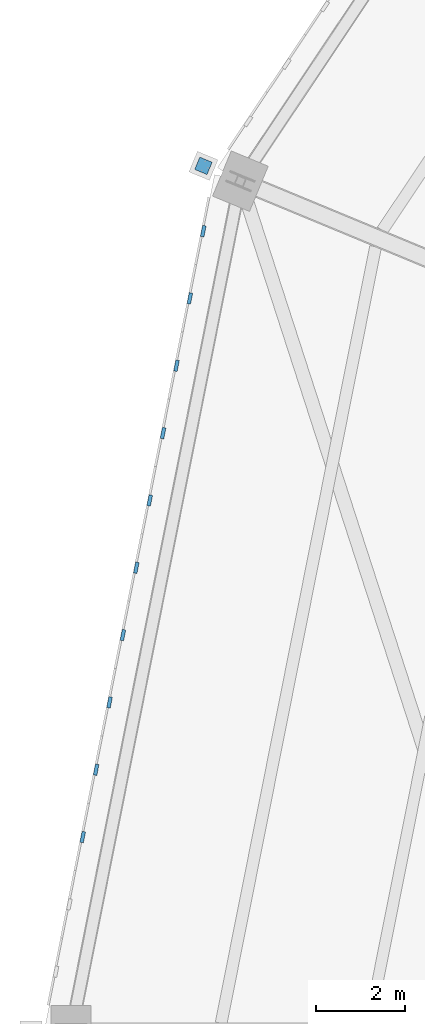
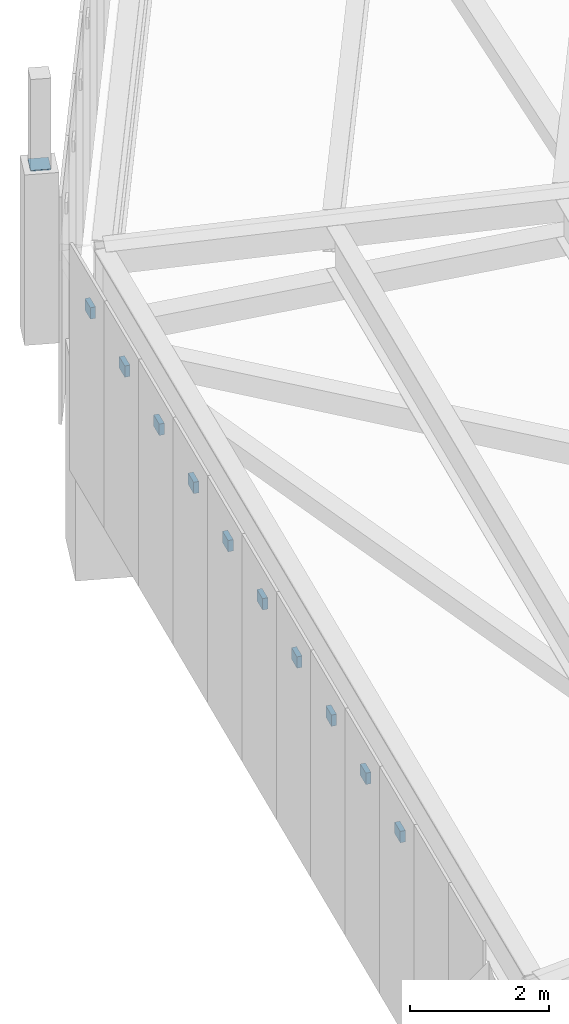
# One storey, part 215 of 278: 11 discrete accessories.
"""IFC4 building model written with IfcOpenShell, lengths in metres."""

import ifcopenshell
import ifcopenshell.guid

model = None  # the IFC model being written
_history = None  # IfcOwnerHistory: only IFC2X3 demands one
_inside = {}  # id of a spatial element -> (the spatial element, [elements in it])
_under = {}  # id of a project, library or spatial element -> (it, [spatial elements below it])
_declared = {}  # id of a project -> (the project, [libraries it declares])
_typed = {}  # id of a type object -> (the type object, [elements of that type])
_made_of = {}  # id of a material, layer set ... -> (it, [elements and type objects made of it])


def new_model(schema):
    """Start an empty IFC model of exactly this schema.

    Asked for "IFC4X3", IfcOpenShell would pick the latest addendum, in which some entities
    have other attributes; the version numbers below select the first issue.
    IFC2X3 requires an IfcOwnerHistory on every rooted entity: one is made here for all.
    """
    global model, _history
    if schema == "IFC4X3":
        model = ifcopenshell.file(schema_version=(4, 3, 0, 0))
    else:
        model = ifcopenshell.file(schema=schema)
    _inside.clear()
    _under.clear()
    _declared.clear()
    _typed.clear()
    _made_of.clear()
    _history = None
    if model.schema == "IFC2X3":
        org = make("IfcOrganization", Name="unknown")
        user = make(
            "IfcPersonAndOrganization",
            ThePerson=make("IfcPerson", FamilyName="unknown"),
            TheOrganization=org,
        )
        app = make(
            "IfcApplication",
            ApplicationDeveloper=org,
            Version="unknown",
            ApplicationFullName="unknown",
            ApplicationIdentifier="unknown",
        )
        _history = make(
            "IfcOwnerHistory",
            OwningUser=user,
            OwningApplication=app,
            ChangeAction="ADDED",
            CreationDate=0,
        )
    return model


def make(cls, **values):
    """One entity of the class cls with the attributes given. An attribute that is None is left unset."""
    return model.create_entity(
        cls, **{name: value for name, value in values.items() if value is not None}
    )


def rooted(cls, **values):
    """An entity with a GlobalId (a new one), such as an element, a storey or a relation."""
    return make(cls, GlobalId=ifcopenshell.guid.new(), OwnerHistory=_history, **values)


def si_unit(unit_type, name, prefix=None):
    """IfcSIUnit, for example si_unit("LENGTHUNIT", "METRE", prefix="MILLI")."""
    return make("IfcSIUnit", UnitType=unit_type, Prefix=prefix, Name=name)


def assignment(units):
    """IfcUnitAssignment: the units of a project."""
    return None if units is None else make("IfcUnitAssignment", Units=units)


def point(xyz):
    """IfcCartesianPoint."""
    return None if xyz is None else make("IfcCartesianPoint", Coordinates=xyz)


def direction(xyz):
    """IfcDirection."""
    return None if xyz is None else make("IfcDirection", DirectionRatios=xyz)


def frame(location, z_axis=None, x_axis=None):
    """IfcAxis2Placement3D, a coordinate frame: its origin and axes. An axis left out is left unset."""
    return make(
        "IfcAxis2Placement3D",
        Location=point(location),
        Axis=direction(z_axis),
        RefDirection=direction(x_axis),
    )


def frame_2d(location, x_axis=None):
    """IfcAxis2Placement2D, a coordinate frame in the plane: its origin and x axis."""
    return make(
        "IfcAxis2Placement2D", Location=point(location), RefDirection=direction(x_axis)
    )


def origin():
    """The frame at (0, 0, 0) with its axes left unset."""
    return frame((0.0, 0.0, 0.0))


def origin_2d():
    """The frame at (0, 0) in the plane with its x axis left unset."""
    return frame_2d((0.0, 0.0))


def place(relative_to, where):
    """IfcLocalPlacement: puts the frame where relative to a parent placement (None: the world)."""
    return make(
        "IfcLocalPlacement", PlacementRelTo=relative_to, RelativePlacement=where
    )


def context(
    kind, dimensions, precision=None, world=None, true_north=None, identifier=None
):
    """IfcGeometricRepresentationContext, for example the 3D "Model" context."""
    return make(
        "IfcGeometricRepresentationContext",
        ContextIdentifier=identifier,
        ContextType=kind,
        CoordinateSpaceDimension=dimensions,
        Precision=precision,
        WorldCoordinateSystem=world,
        TrueNorth=true_north,
    )


def subcontext(parent, identifier, kind, view, scale=None):
    """IfcGeometricRepresentationSubContext, for example "Body" below "Model"."""
    return make(
        "IfcGeometricRepresentationSubContext",
        ContextIdentifier=identifier,
        ContextType=kind,
        ParentContext=parent,
        TargetScale=scale,
        TargetView=view,
    )


def project(units=None, contexts=None):
    """IfcProject with its units and contexts."""
    return rooted(
        "IfcProject",
        Name="project",
        RepresentationContexts=contexts,
        UnitsInContext=assignment(units),
    )


def spatial(cls, under=None, at=None, **own):
    """A site, building, storey or space (cls), placed at a placement, below another one or the project."""
    s = rooted(cls, ObjectPlacement=at, **own)
    if under is not None:
        _under.setdefault(under.id(), (under, []))[1].append(s)
    return s


def profile(cls, at=None, kind="AREA", **sizes):
    """A parametric profile (cls). Its sizes go by their IFC names, for example OverallWidth=200.0."""
    return make(cls, ProfileType=kind, Position=at, **sizes)


def rectangle(**sizes):
    """IfcRectangleProfileDef."""
    return profile("IfcRectangleProfileDef", **sizes)


def extrude(swept, where, along, depth):
    """IfcExtrudedAreaSolid: the profile swept, set in the frame where, extruded along a direction by depth."""
    return make(
        "IfcExtrudedAreaSolid",
        SweptArea=swept,
        Position=where,
        ExtrudedDirection=direction(along),
        Depth=depth,
    )


def shape(context_of_items, identifier, shape_type, items):
    """IfcShapeRepresentation: the items that make up one representation, for example the "Body"."""
    return make(
        "IfcShapeRepresentation",
        ContextOfItems=context_of_items,
        RepresentationIdentifier=identifier,
        RepresentationType=shape_type,
        Items=items,
    )


def material(Name=None, Category=None):
    """IfcMaterial."""
    return make("IfcMaterial", Name=Name, Category=Category)


def layer(
    of_material, thickness, ventilated=None, Name=None, Category=None, Priority=None
):
    """IfcMaterialLayer: one layer of a wall or slab, of a material (None: an air gap)."""
    return make(
        "IfcMaterialLayer",
        Material=of_material,
        LayerThickness=thickness,
        IsVentilated=ventilated,
        Name=Name,
        Category=Category,
        Priority=Priority,
    )


def layer_set(layers, Name=None):
    """IfcMaterialLayerSet."""
    return make("IfcMaterialLayerSet", MaterialLayers=layers, LayerSetName=Name)


def made_of(thing, what):
    """Note that an element or type object is made of a material, layer set ...; save() writes the relation."""
    if what is not None:
        _made_of.setdefault(what.id(), (what, []))[1].append(thing)
    return thing


def type_object(cls, material=None, **own):
    """A type object (cls), such as IfcWallType, which elements share."""
    return made_of(rooted(cls, **own), material)


def element(
    cls,
    number,
    at=None,
    inside=None,
    cuts=None,
    type_object=None,
    material=None,
    context=None,
    identifier="Body",
    shape_type=None,
    held_by="IfcProductDefinitionShape",
    body=None,
    shapes=None,
    **own,
):
    """One element of the class cls, such as IfcWall. Its Tag is "e" and its number.

    at: its placement. inside: the storey or other place that contains it. cuts: it is an
    opening in that element (IfcRelVoidsElement). A single representation is given by context,
    identifier, shape_type and body (its items); several are given by shapes. held_by: the class
    of the entity that holds the representations. save() writes the other relations.
    """
    e = rooted(cls, Tag="e%d" % number, ObjectPlacement=at, **own)
    if body is not None:
        shapes = [shape(context, identifier, shape_type, body)]
    if shapes is not None:
        e.Representation = make(held_by, Representations=shapes)
    if inside is not None:
        _inside.setdefault(inside.id(), (inside, []))[1].append(e)
    if cuts is not None:
        rooted(
            "IfcRelVoidsElement", RelatingBuildingElement=cuts, RelatedOpeningElement=e
        )
    if type_object is not None:
        _typed.setdefault(type_object.id(), (type_object, []))[1].append(e)
    return made_of(e, material)


def aggregate(whole, parts):
    """IfcRelAggregates: a whole, such as a stair, and the parts it consists of."""
    return rooted("IfcRelAggregates", RelatingObject=whole, RelatedObjects=parts)


def save(model, path):
    """Write the relations noted so far, then the file.

    IfcRelAggregates (storeys below a building ...), IfcRelContainedInSpatialStructure (elements
    in a storey), IfcRelDefinesByType, IfcRelAssociatesMaterial and IfcRelDeclares: one each for
    every whole, place, type object, material and project.
    """
    for whole, parts in _under.values():
        aggregate(whole, parts)
    for where, things in _inside.values():
        rooted(
            "IfcRelContainedInSpatialStructure",
            RelatedElements=things,
            RelatingStructure=where,
        )
    for kind, things in _typed.values():
        rooted("IfcRelDefinesByType", RelatedObjects=things, RelatingType=kind)
    for what, things in _made_of.values():
        rooted("IfcRelAssociatesMaterial", RelatedObjects=things, RelatingMaterial=what)
    for by, libraries in _declared.values():
        rooted("IfcRelDeclares", RelatingContext=by, RelatedDefinitions=libraries)
    model.write(path)


model = new_model("IFC4")

# Units and contexts
model_context = context("Model", 3, precision=1e-05, world=origin(), true_north=direction((0.0, 1.0)))
body_context = subcontext(model_context, "Body", "Model", "MODEL_VIEW")
ifc_project = project(units=[si_unit("LENGTHUNIT", "METRE"), si_unit("AREAUNIT", "SQUARE_METRE"), si_unit("VOLUMEUNIT", "CUBIC_METRE"), si_unit("PLANEANGLEUNIT", "RADIAN"), si_unit("MASSUNIT", "GRAM", prefix="KILO")], contexts=[model_context])

# Site, building, storey
site_placement = place(None, origin())
site = spatial("IfcSite", under=ifc_project, at=site_placement, CompositionType="ELEMENT")
building_placement = place(site_placement, origin())
building = spatial("IfcBuilding", under=site, at=building_placement, Name="Ogive Plaza Stadium", CompositionType="ELEMENT")
storey_placement = place(building_placement, frame((0.0, 0.0, 29.0)))
storey = spatial("IfcBuildingStorey", under=building, at=storey_placement, Name="Roof", CompositionType="ELEMENT", Elevation=29.0)

# Discrete accessories
ifc_material_1 = material(Name="Steel ASTM A992 Grade 50", Category="steel")
ifc_layer_1 = layer(ifc_material_1, 0.02001953125)
ifc_layer_set_1 = layer_set([ifc_layer_1], Name="Steel ASTM A992 Grade 50")
discrete_accessory_type_1 = type_object("IfcDiscreteAccessoryType", Name="Spire seat plate 20", PredefinedType="ANCHORPLATE", material=ifc_layer_set_1)
discrete_accessory_placement = place(storey_placement, frame((-81.025390625, 71.978515625, 6.98095703125), z_axis=(0.0, 0.0, 1.0), x_axis=(-0.923879532511, 0.382683432365, 0.0)))
element("IfcDiscreteAccessory", 1, at=discrete_accessory_placement, inside=storey, type_object=discrete_accessory_type_1, Name="SPIRE SEAT PLATE 29", PredefinedType="ANCHORPLATE", context=body_context, shape_type="SweptSolid", body=[
    extrude(rectangle(XDim=0.300048828125, YDim=0.300048828125, at=origin_2d()), origin(), (0.0, 0.0, 1.0), 0.02001953125),
])
ifc_material_2 = material(Name="Steel ASTM A572 Grade 50", Category="steel")
ifc_layer_2 = layer(ifc_material_2, 0.080078125)
ifc_layer_set_2 = layer_set([ifc_layer_2], Name="Steel ASTM A572 Grade 50")
discrete_accessory_type_2 = type_object("IfcDiscreteAccessoryType", Name="Tracery screen bracket 250x200", PredefinedType="BRACKET", material=ifc_layer_set_2)
for number, where, z_axis, x_axis, name in (
    (2, (-83.739013671875, 56.885009765625, 5.25), (0.0, 0.0, 1.0), (0.195090322016, 0.980785280403, 0.0), "TRACERY SCREEN BRACKET B28 3"),
    (3, (-83.437744140625, 58.39892578125, 5.25), (0.0, 0.0, 1.0), (0.195090322016, 0.980785280403, 0.0), "TRACERY SCREEN BRACKET B28 4"),
    (4, (-83.13671875, 59.9130859375, 5.25), (0.0, 0.0, 1.0), (0.195090322016, 0.980785280403, 0.0), "TRACERY SCREEN BRACKET B28 5"),
    (5, (-82.83544921875, 61.427001953125, 5.25), (0.0, 0.0, 1.0), (0.195090322016, 0.980785280403, 0.0), "TRACERY SCREEN BRACKET B28 6"),
    (6, (-82.534423828125, 62.94091796875, 5.25), (0.0, 0.0, 1.0), (0.195090322016, 0.980785280403, 0.0), "TRACERY SCREEN BRACKET B28 7"),
    (7, (-82.233154296875, 64.455078125, 5.25), (0.0, 0.0, 1.0), (0.195090322016, 0.980785280403, 0.0), "TRACERY SCREEN BRACKET B28 8"),
    (8, (-81.93212890625, 65.968994140625, 5.25), (0.0, 0.0, 1.0), (0.195090322016, 0.980785280403, 0.0), "TRACERY SCREEN BRACKET B28 9"),
    (9, (-81.630859375, 67.483154296875, 5.25), (0.0, 0.0, 1.0), (0.195090322016, 0.980785280403, 0.0), "TRACERY SCREEN BRACKET B28 10"),
    (10, (-81.32958984375, 68.9970703125, 5.25), (0.0, 0.0, 1.0), (0.195090322016, 0.980785280403, 0.0), "TRACERY SCREEN BRACKET B28 11"),
    (11, (-81.028564453125, 70.510986328125, 5.25), (0.0, 0.0, 1.0), (0.195090322016, 0.980785280403, 0.0), "TRACERY SCREEN BRACKET B28 12"),
):
    element("IfcDiscreteAccessory", number, at=place(storey_placement, frame(where, z_axis=z_axis, x_axis=x_axis)), inside=storey, type_object=discrete_accessory_type_2, Name=name, PredefinedType="BRACKET", context=body_context, shape_type="SweptSolid", body=[
        extrude(rectangle(XDim=0.25, YDim=0.080078125, at=origin_2d()), origin(), (0.0, 0.0, 1.0), 0.199951171875),
    ])

save(model, "model.ifc")
